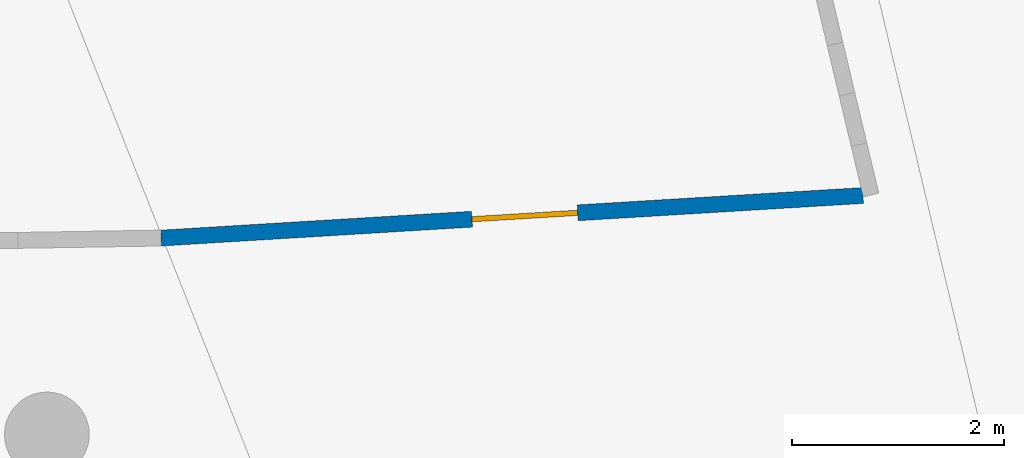
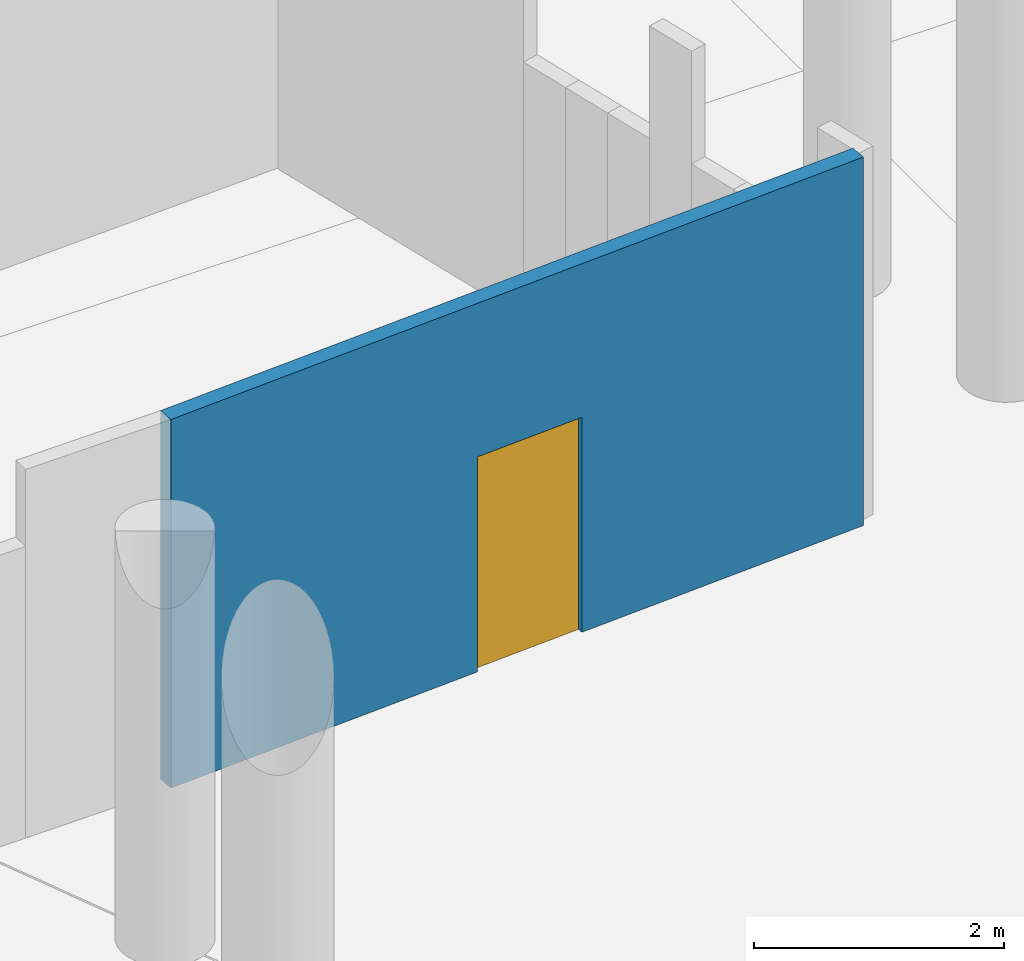
# One storey, part 72 of 142: 1 door, 1 wall, 1 opening.
"""IFC4 building model written with IfcOpenShell, lengths in metres."""

from ifc_helpers import new_model, si_unit, direction, frame, frame_2d, origin, place, context, subcontext, project, spatial, rectangle, extrude, material, layer, layer_set, type_object, element, fill, save


model = new_model("IFC4")

# Units and contexts
model_context = context("Model", 3, precision=1e-05, world=origin(), true_north=direction((0.0, 1.0)))
body_context = subcontext(model_context, "Body", "Model", "MODEL_VIEW")
ifc_project = project(units=[si_unit("LENGTHUNIT", "METRE"), si_unit("AREAUNIT", "SQUARE_METRE"), si_unit("VOLUMEUNIT", "CUBIC_METRE"), si_unit("PLANEANGLEUNIT", "RADIAN"), si_unit("MASSUNIT", "GRAM", prefix="KILO")], contexts=[model_context])

# Site, building, storey
site_placement = place(None, origin())
site = spatial("IfcSite", under=ifc_project, at=site_placement, CompositionType="ELEMENT")
building_placement = place(site_placement, origin())
building = spatial("IfcBuilding", under=site, at=building_placement, Name="Meseta Stadium", CompositionType="ELEMENT")
storey_placement = place(building_placement, frame((0.0, 0.0, -4.0)))
storey = spatial("IfcBuildingStorey", under=building, at=storey_placement, Name="B1", CompositionType="ELEMENT", Elevation=-4.0)

# Wall, opening, door
ifc_material_1 = material(Name="Masonry blockwork", Category="masonry")
ifc_layer = layer(ifc_material_1, 0.14990234375)
ifc_layer_set = layer_set([ifc_layer], Name="Partition 150")
wall_type = type_object("IfcWallType", Name="Partition 150", PredefinedType="PARTITIONING", material=ifc_layer_set)
wall_placement = place(storey_placement, frame((-18.7529296875, 74.340576171875, 0.0), z_axis=(0.0, 0.0, 1.0), x_axis=(-0.998168227597, -0.060499499305, 0.0)))
wall = element("IfcWall", 1, at=wall_placement, inside=storey, type_object=wall_type, Name="Partition B1 B1-cell10-1-0", PredefinedType="PARTITIONING", context=body_context, shape_type="SweptSolid", body=[
    extrude(rectangle(XDim=6.642333984375, YDim=0.14990234375, at=frame_2d((3.3212890625, 0.0))), origin(), (0.0, 0.0, 1.0), 3.60009765625),
])
opening_placement = place(wall_placement, frame((2.699951171875, 0.0, 0.0)))
opening = element("IfcOpeningElement", 2, at=opening_placement, cuts=wall, Name="Opening D461", PredefinedType="OPENING", context=body_context, shape_type="SweptSolid", body=[
    extrude(rectangle(XDim=1.0, YDim=2.10009765625, at=frame_2d((0.5, 1.050048828125))), frame((0.0, 0.0849609375, 0.0), z_axis=(0.0, -1.0, 0.0), x_axis=(1.0, 0.0, 0.0)), (0.0, 0.0, 1.0), 0.169921875),
])
ifc_material_2 = material(Name="Steel", Category="steel")
door_type = type_object("IfcDoorType", Name="Fire door 1000x2100 EI2 60", OperationType="NOTDEFINED", PredefinedType="DOOR", material=ifc_material_2)
door_placement = place(opening_placement, origin())
door = element("IfcDoor", 3, at=door_placement, inside=storey, type_object=door_type, Name="Door D461", OperationType="SINGLE_SWING_LEFT", OverallHeight=2.10009765625, OverallWidth=1.0, PredefinedType="DOOR", context=body_context, shape_type="SweptSolid", body=[
    extrude(rectangle(XDim=1.0, YDim=2.10009765625, at=frame_2d((0.5, 1.050048828125))), frame((0.0, 0.02490234375, 0.0), z_axis=(0.0, -1.0, 0.0), x_axis=(1.0, 0.0, 0.0)), (0.0, 0.0, 1.0), 0.050048828125),
])
fill(opening, door)

save(model, "model.ifc")
